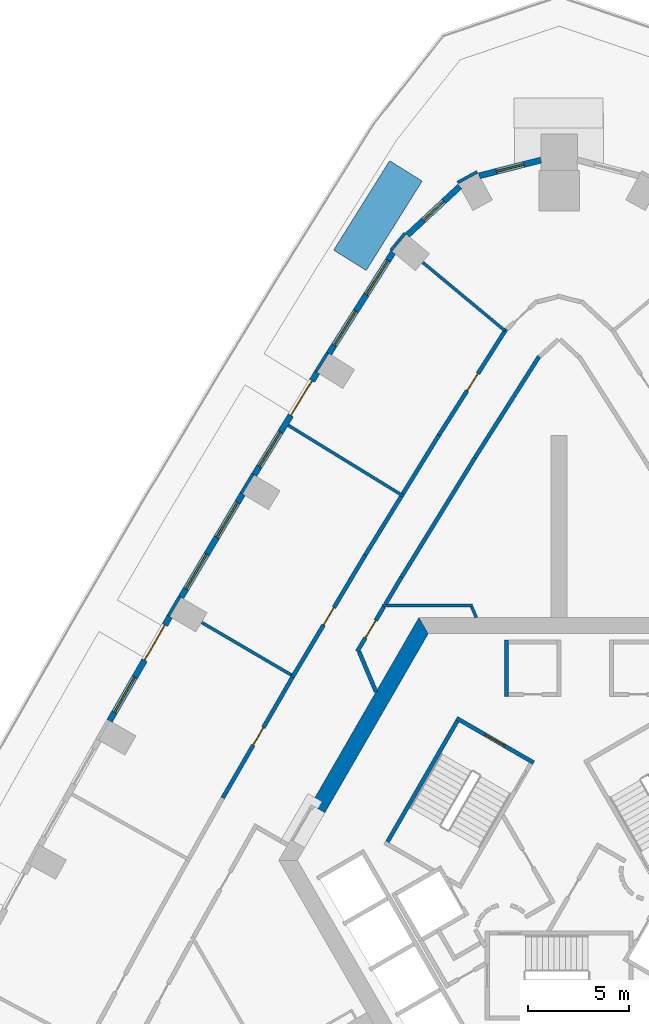
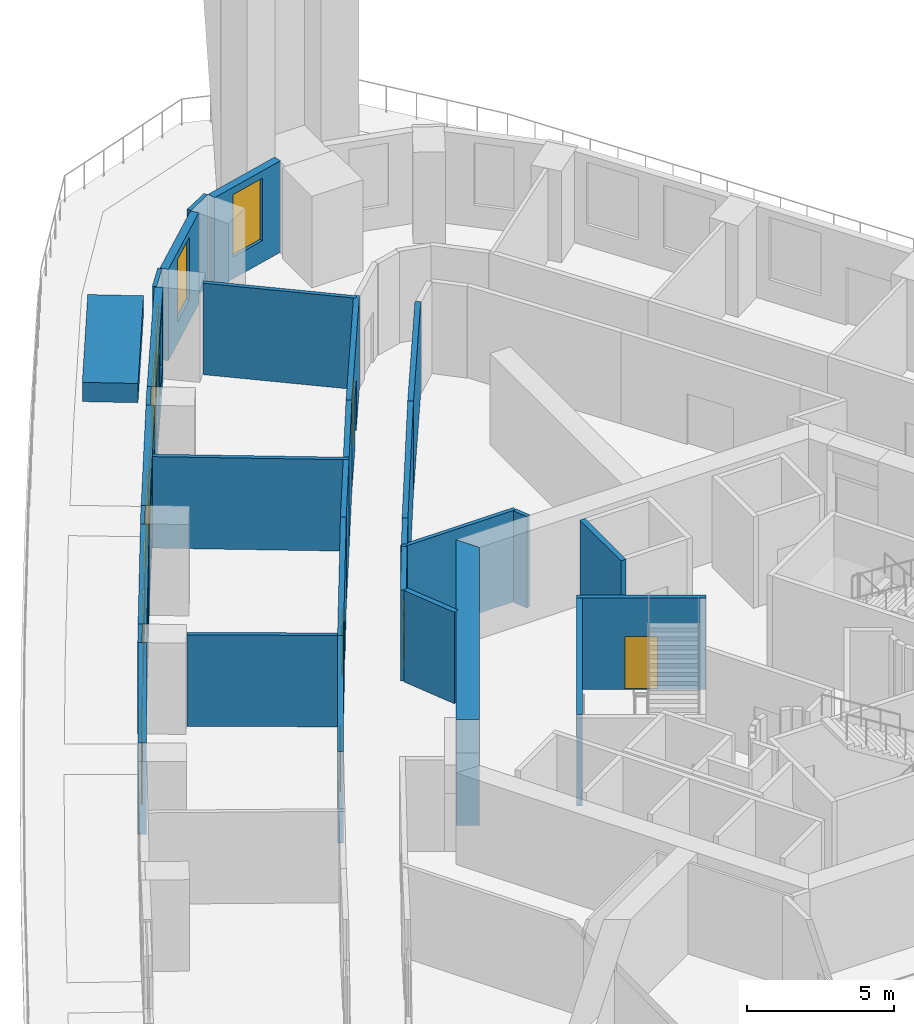
# One storey, part 9 of 16: 31 walls, 8 windows, 7 doors, 15 openings.
"""IFC4 building model written with IfcOpenShell, lengths in metres."""

from ifc_helpers import new_model, si_unit, direction, frame, frame_2d, origin, place, context, subcontext, project, spatial, polyline, rectangle, outline, extrude, material, layer, layer_set, type_object, element, fill, save


model = new_model("IFC4")

# Units and contexts
model_context = context("Model", 3, precision=1e-05, world=origin(), true_north=direction((0.0, 1.0)))
body_context = subcontext(model_context, "Body", "Model", "MODEL_VIEW")
ifc_project = project(units=[si_unit("LENGTHUNIT", "METRE"), si_unit("AREAUNIT", "SQUARE_METRE"), si_unit("VOLUMEUNIT", "CUBIC_METRE"), si_unit("PLANEANGLEUNIT", "RADIAN"), si_unit("MASSUNIT", "GRAM", prefix="KILO")], contexts=[model_context])

# Site, building, storey
site_placement = place(None, origin())
site = spatial("IfcSite", under=ifc_project, at=site_placement, CompositionType="ELEMENT")
building_placement = place(site_placement, origin())
building = spatial("IfcBuilding", under=site, at=building_placement, Name="Entoto Arch Interchange Tower", CompositionType="ELEMENT")
storey_placement = place(building_placement, frame((0.0, 0.0, 138.199951171875)))
storey = spatial("IfcBuildingStorey", under=building, at=storey_placement, Name="L30", CompositionType="ELEMENT", Elevation=138.199951171875)

# Walls
ifc_material_1 = material(Name="Concrete C50/60", Category="concrete")
ifc_layer_1 = layer(ifc_material_1, 0.800048828125)
ifc_layer_set_1 = layer_set([ifc_layer_1], Name="Concrete C50/60")
wall_type_1 = type_object("IfcWallType", Name="Core wall 800 C50/60", PredefinedType="SHEAR", material=ifc_layer_set_1)
wall_1_placement = place(storey_placement, frame((0.0, 0.0, -0.599853515625)))
element("IfcWall", 1, at=wall_1_placement, inside=storey, type_object=wall_type_1, Name="Core wall NW L30", PredefinedType="SHEAR", context=body_context, shape_type="SweptSolid", body=[
    extrude(outline(polyline([(-12.26708984375, 5.251953125), (-11.574951171875, 4.85205078125), (-6.466064453125, 13.699951171875), (-6.927978515625, 14.5), (-12.26708984375, 5.251953125)])), origin(), (0.0, 0.0, 1.0), 4.39990234375),
])
ifc_material_2 = material(Name="Gypsum board partition on steel studs", Category="steel")
ifc_layer_2 = layer(ifc_material_2, 0.14990234375)
ifc_layer_set_2 = layer_set([ifc_layer_2], Name="Gypsum board partition on steel studs")
wall_type_2 = type_object("IfcWallType", Name="PARTITION 150", PredefinedType="PARTITIONING", material=ifc_layer_set_2)
wall_2_placement = place(storey_placement, frame((-4.27197265625, 15.10009765625, 0.0), z_axis=(0.0, 0.0, 1.0), x_axis=(-1.0, 0.0, 0.0)))
element("IfcWall", 2, at=wall_2_placement, inside=storey, type_object=wall_type_2, Name="wall:L30:p085", PredefinedType="PARTITIONING", context=body_context, shape_type="SweptSolid", body=[
    extrude(rectangle(XDim=4.447998046875, YDim=0.14990234375, at=frame_2d((2.22412109375, 0.0))), origin(), (0.0, 0.0, 1.0), 3.800048828125),
])
wall_3_placement = place(storey_placement, frame((-4.093017578125, 14.5, 0.0), z_axis=(0.0, 0.0, 1.0), x_axis=(-0.390288929197, 0.92069243059, 0.0)))
element("IfcWall", 3, at=wall_3_placement, inside=storey, type_object=wall_type_2, Name="wall:L30:p086", PredefinedType="PARTITIONING", context=body_context, shape_type="SweptSolid", body=[
    extrude(rectangle(XDim=0.57666015625, YDim=0.14990234375, at=frame_2d((0.288330078125, 0.0))), origin(), (0.0, 0.0, 1.0), 3.800048828125),
])
wall_4_placement = place(storey_placement, frame((-2.669921875, 28.669921875, 0.0), z_axis=(0.0, 0.0, 1.0), x_axis=(-0.769162789992, 0.639052894909, 0.0)))
element("IfcWall", 4, at=wall_4_placement, inside=storey, type_object=wall_type_2, Name="wall:L30:p132", PredefinedType="PARTITIONING", context=body_context, shape_type="SweptSolid", body=[
    extrude(rectangle(XDim=5.287841796875, YDim=0.14990234375, at=frame_2d((2.64404296875, 0.0))), origin(), (0.0, 0.0, 1.0), 3.800048828125),
])
wall_5_placement = place(storey_placement, frame((-7.678955078125, 20.491943359375, 0.0), z_axis=(0.0, 0.0, 1.0), x_axis=(-0.851897179877, 0.523709074695, 0.0)))
element("IfcWall", 5, at=wall_5_placement, inside=storey, type_object=wall_type_2, Name="wall:L30:p133", PredefinedType="PARTITIONING", context=body_context, shape_type="SweptSolid", body=[
    extrude(rectangle(XDim=6.700439453125, YDim=0.14990234375, at=frame_2d((3.35009765625, 0.0))), origin(), (0.0, 0.0, 1.0), 3.800048828125),
])
wall_6_placement = place(storey_placement, frame((-13.23193359375, 11.656982421875, 0.0), z_axis=(0.0, 0.0, 1.0), x_axis=(-0.862663606034, 0.505778116197, 0.0)))
element("IfcWall", 6, at=wall_6_placement, inside=storey, type_object=wall_type_2, Name="wall:L30:p134", PredefinedType="PARTITIONING", context=body_context, shape_type="SweptSolid", body=[
    extrude(rectangle(XDim=5.130615234375, YDim=0.14990234375, at=frame_2d((2.5654296875, 0.0))), origin(), (0.0, 0.0, 1.0), 3.800048828125),
])

# Wall, opening, door
ifc_layer_3 = layer(ifc_material_2, 0.199951171875)
ifc_layer_set_3 = layer_set([ifc_layer_3], Name="Gypsum board partition on steel studs")
wall_type_3 = type_object("IfcWallType", Name="PARTITION 200", PredefinedType="PARTITIONING", material=ifc_layer_set_3)
wall_7_placement = place(storey_placement, frame((-8.657958984375, 15.035888671875, 0.0), z_axis=(0.0, 0.0, 1.0), x_axis=(-0.511860217954, -0.859068750029, 0.0)))
wall_7 = element("IfcWall", 7, at=wall_7_placement, inside=storey, type_object=wall_type_3, Name="wall:L30:p001", PredefinedType="PARTITIONING", context=body_context, shape_type="SweptSolid", body=[
    extrude(rectangle(XDim=2.5771484375, YDim=0.199951171875, at=frame_2d((1.28857421875, 0.0))), origin(), (0.0, 0.0, 1.0), 3.800048828125),
])
opening_1_placement = place(wall_7_placement, frame((0.7880859375, 0.0, 0.0)))
opening_1 = element("IfcOpeningElement", 8, at=opening_1_placement, cuts=wall_7, Name="Opening L30-D30", PredefinedType="OPENING", context=body_context, shape_type="SweptSolid", body=[
    extrude(rectangle(XDim=1.0, YDim=2.10009765625, at=frame_2d((0.5, 1.050048828125))), frame((0.0, 0.10986328125, 0.0), z_axis=(0.0, -1.0, 0.0), x_axis=(1.0, 0.0, 0.0)), (0.0, 0.0, 1.0), 0.219970703125),
])
ifc_material_3 = material(Name="Timber door leaf in Steel S235 frame", Category="steel")
door_type_1 = type_object("IfcDoorType", Name="DOOR DS-10 1000x2100", OperationType="SINGLE_SWING_LEFT", PredefinedType="DOOR", material=ifc_material_3)
door_1_placement = place(opening_1_placement, origin())
door_1 = element("IfcDoor", 9, at=door_1_placement, inside=storey, type_object=door_type_1, Name="door:L30:30", OperationType="SINGLE_SWING_LEFT", OverallHeight=2.10009765625, OverallWidth=1.0, PredefinedType="DOOR", context=body_context, shape_type="SweptSolid", body=[
    extrude(rectangle(XDim=1.0, YDim=2.10009765625, at=frame_2d((0.5, 1.050048828125))), frame((0.0, 0.02490234375, 0.0), z_axis=(0.0, -1.0, 0.0), x_axis=(1.0, 0.0, 0.0)), (0.0, 0.0, 1.0), 0.050048828125),
])
fill(opening_1, door_1)

# Walls
wall_8_placement = place(storey_placement, frame((-9.886962890625, 12.81591796875, 0.0), z_axis=(0.0, 0.0, 1.0), x_axis=(0.388765037942, -0.921336933632, 0.0)))
element("IfcWall", 10, at=wall_8_placement, inside=storey, type_object=wall_type_3, Name="wall:L30:p002", PredefinedType="PARTITIONING", context=body_context, shape_type="SweptSolid", body=[
    extrude(rectangle(XDim=2.15771484375, YDim=0.199951171875, at=frame_2d((1.078857421875, 0.0))), origin(), (0.0, 0.0, 1.0), 3.800048828125),
])
wall_9_placement = place(storey_placement, frame((-0.988037109375, 27.40087890625, 0.0), z_axis=(0.0, 0.0, 1.0), x_axis=(-0.535496886312, -0.844537201519, 0.0)))
element("IfcWall", 11, at=wall_9_placement, inside=storey, type_object=wall_type_3, Name="wall:L30:p010", PredefinedType="PARTITIONING", context=body_context, shape_type="SweptSolid", body=[
    extrude(rectangle(XDim=5.92724609375, YDim=0.199951171875, at=frame_2d((2.963623046875, 0.0))), origin(), (0.0, 0.0, 1.0), 3.800048828125),
])
wall_10_placement = place(storey_placement, frame((-4.162109375, 22.39501953125, 0.0), z_axis=(0.0, 0.0, 1.0), x_axis=(-0.523625371849, -0.851948631055, 0.0)))
element("IfcWall", 12, at=wall_10_placement, inside=storey, type_object=wall_type_3, Name="wall:L30:p011", PredefinedType="PARTITIONING", context=body_context, shape_type="SweptSolid", body=[
    extrude(rectangle(XDim=6.926513671875, YDim=0.199951171875, at=frame_2d((3.46337890625, 0.0))), origin(), (0.0, 0.0, 1.0), 3.800048828125),
])
wall_11_placement = place(storey_placement, frame((-7.7890625, 16.493896484375, 0.0), z_axis=(0.0, 0.0, 1.0), x_axis=(-0.511686277462, -0.859172365394, 0.0)))
element("IfcWall", 13, at=wall_11_placement, inside=storey, type_object=wall_type_3, Name="wall:L30:p012", PredefinedType="PARTITIONING", context=body_context, shape_type="SweptSolid", body=[
    extrude(rectangle(XDim=1.5478515625, YDim=0.199951171875, at=frame_2d((0.77392578125, 0.0))), origin(), (0.0, 0.0, 1.0), 3.800048828125),
])
wall_12_placement = place(storey_placement, frame((-7.72509765625, 20.60791015625, 0.0), z_axis=(0.0, 0.0, 1.0), x_axis=(0.523645038298, 0.851936543333, 0.0)))
element("IfcWall", 14, at=wall_12_placement, inside=storey, type_object=wall_type_3, Name="wall:L30:p051", PredefinedType="PARTITIONING", context=body_context, shape_type="SweptSolid", body=[
    extrude(rectangle(XDim=3.403076171875, YDim=0.199951171875, at=frame_2d((1.70166015625, 0.0))), origin(), (0.0, 0.0, 1.0), 3.800048828125),
])

# Wall, opening, door
wall_13_placement = place(storey_placement, frame((-5.943115234375, 23.507080078125, 0.0), z_axis=(0.0, 0.0, 1.0), x_axis=(0.535529721247, 0.844516380931, 0.0)))
wall_13 = element("IfcWall", 15, at=wall_13_placement, inside=storey, type_object=wall_type_3, Name="wall:L30:p052", PredefinedType="PARTITIONING", context=body_context, shape_type="SweptSolid", body=[
    extrude(rectangle(XDim=6.212890625, YDim=0.199951171875, at=frame_2d((3.1064453125, 0.0))), origin(), (0.0, 0.0, 1.0), 3.800048828125),
])
opening_2_placement = place(wall_13_placement, frame((2.60693359375, 0.0, 0.0)))
opening_2 = element("IfcOpeningElement", 16, at=opening_2_placement, cuts=wall_13, Name="Opening L30-D11", PredefinedType="OPENING", context=body_context, shape_type="SweptSolid", body=[
    extrude(rectangle(XDim=1.0, YDim=2.10009765625, at=frame_2d((0.5, 1.050048828125))), frame((0.0, 0.10986328125, 0.0), z_axis=(0.0, -1.0, 0.0), x_axis=(1.0, 0.0, 0.0)), (0.0, 0.0, 1.0), 0.219970703125),
])
door_2_placement = place(opening_2_placement, origin())
door_2 = element("IfcDoor", 17, at=door_2_placement, inside=storey, type_object=door_type_1, Name="door:L30:11", OperationType="SINGLE_SWING_LEFT", OverallHeight=2.10009765625, OverallWidth=1.0, PredefinedType="DOOR", context=body_context, shape_type="SweptSolid", body=[
    extrude(rectangle(XDim=1.0, YDim=2.10009765625, at=frame_2d((0.5, 1.050048828125))), frame((0.0, 0.02490234375, 0.0), z_axis=(0.0, -1.0, 0.0), x_axis=(1.0, 0.0, 0.0)), (0.0, 0.0, 1.0), 0.050048828125),
])
fill(opening_2, door_2)

wall_14_placement = place(storey_placement, frame((-13.18408203125, 11.5419921875, 0.0), z_axis=(0.0, 0.0, 1.0), x_axis=(0.511847713534, 0.859076200433, 0.0)))
wall_14 = element("IfcWall", 18, at=wall_14_placement, inside=storey, type_object=wall_type_3, Name="wall:L30:p053", PredefinedType="PARTITIONING", context=body_context, shape_type="SweptSolid", body=[
    extrude(rectangle(XDim=7.02978515625, YDim=0.199951171875, at=frame_2d((3.514892578125, 0.0))), origin(), (0.0, 0.0, 1.0), 3.800048828125),
])
opening_3_placement = place(wall_14_placement, frame((3.014892578125, 0.0, 0.0)))
opening_3 = element("IfcOpeningElement", 19, at=opening_3_placement, cuts=wall_14, Name="Opening L30-D12", PredefinedType="OPENING", context=body_context, shape_type="SweptSolid", body=[
    extrude(rectangle(XDim=1.0, YDim=2.10009765625, at=frame_2d((0.5, 1.050048828125))), frame((0.0, 0.10986328125, 0.0), z_axis=(0.0, -1.0, 0.0), x_axis=(1.0, 0.0, 0.0)), (0.0, 0.0, 1.0), 0.219970703125),
])
door_3_placement = place(opening_3_placement, origin())
door_3 = element("IfcDoor", 20, at=door_3_placement, inside=storey, type_object=door_type_1, Name="door:L30:12", OperationType="SINGLE_SWING_RIGHT", OverallHeight=2.10009765625, OverallWidth=1.0, PredefinedType="DOOR", context=body_context, shape_type="SweptSolid", body=[
    extrude(rectangle(XDim=1.0, YDim=2.10009765625, at=frame_2d((0.5, 1.050048828125))), frame((0.0, 0.02490234375, 0.0), z_axis=(0.0, -1.0, 0.0), x_axis=(1.0, 0.0, 0.0)), (0.0, 0.0, 1.0), 0.050048828125),
])
fill(opening_3, door_3)

# Wall
wall_15_placement = place(storey_placement, frame((-9.5859375, 17.5810546875, 0.0), z_axis=(0.0, 0.0, 1.0), x_axis=(0.523757261565, 0.851867554822, 0.0)))
element("IfcWall", 21, at=wall_15_placement, inside=storey, type_object=wall_type_3, Name="wall:L30:p054", PredefinedType="PARTITIONING", context=body_context, shape_type="SweptSolid", body=[
    extrude(rectangle(XDim=3.404052734375, YDim=0.199951171875, at=frame_2d((1.7021484375, 0.0))), origin(), (0.0, 0.0, 1.0), 3.800048828125),
])

# Wall, opening, door
wall_16_placement = place(storey_placement, frame((-16.6240234375, 5.58203125, 0.0), z_axis=(0.0, 0.0, 1.0), x_axis=(0.499886250151, 0.866091067331, 0.0)))
wall_16 = element("IfcWall", 22, at=wall_16_placement, inside=storey, type_object=wall_type_3, Name="wall:L30:p056", PredefinedType="PARTITIONING", context=body_context, shape_type="SweptSolid", body=[
    extrude(rectangle(XDim=6.88134765625, YDim=0.199951171875, at=frame_2d((3.440673828125, 0.0))), origin(), (0.0, 0.0, 1.0), 3.800048828125),
])
opening_4_placement = place(wall_16_placement, frame((3.014892578125, 0.0, 0.0)))
opening_4 = element("IfcOpeningElement", 23, at=opening_4_placement, cuts=wall_16, Name="Opening L30-D13", PredefinedType="OPENING", context=body_context, shape_type="SweptSolid", body=[
    extrude(rectangle(XDim=1.0, YDim=2.10009765625, at=frame_2d((0.5, 1.050048828125))), frame((0.0, 0.10986328125, 0.0), z_axis=(0.0, -1.0, 0.0), x_axis=(1.0, 0.0, 0.0)), (0.0, 0.0, 1.0), 0.219970703125),
])
door_4_placement = place(opening_4_placement, origin())
door_4 = element("IfcDoor", 24, at=door_4_placement, inside=storey, type_object=door_type_1, Name="door:L30:13", OperationType="SINGLE_SWING_LEFT", OverallHeight=2.10009765625, OverallWidth=1.0, PredefinedType="DOOR", context=body_context, shape_type="SweptSolid", body=[
    extrude(rectangle(XDim=1.0, YDim=2.10009765625, at=frame_2d((0.5, 1.050048828125))), frame((0.0, 0.02490234375, 0.0), z_axis=(0.0, -1.0, 0.0), x_axis=(1.0, 0.0, 0.0)), (0.0, 0.0, 1.0), 0.050048828125),
])
fill(opening_4, door_4)

# Walls
wall_17_placement = place(storey_placement, frame((-2.60009765625, 10.60009765625, 0.0), z_axis=(0.0, 0.0, 1.0), x_axis=(0.0, 1.0, 0.0)))
element("IfcWall", 25, at=wall_17_placement, inside=storey, type_object=wall_type_3, Name="wall:L30:p072", PredefinedType="PARTITIONING", context=body_context, shape_type="SweptSolid", body=[
    extrude(rectangle(XDim=2.7998046875, YDim=0.199951171875, at=frame_2d((1.39990234375, 0.0))), origin(), (0.0, 0.0, 1.0), 3.800048828125),
])
ifc_material_4 = material(Name="Board-marked precast concrete C50/60", Category="concrete")
ifc_layer_4 = layer(ifc_material_4, 1.89990234375)
ifc_layer_set_4 = layer_set([ifc_layer_4], Name="Board-marked precast concrete C50/60")
wall_type_4 = type_object("IfcWallType", Name="PLANTER RC 1900 Vachellia abyssinica", PredefinedType="STANDARD", material=ifc_layer_set_4)
wall_18_placement = place(storey_placement, frame((-7.571044921875, 36.574951171875, 0.0), z_axis=(0.0, 0.0, 1.0), x_axis=(-0.530520609595, -0.847672037285, 0.0)))
element("IfcWall", 26, at=wall_18_placement, inside=storey, type_object=wall_type_4, Name="Terrace planter NW-01 L30", PredefinedType="STANDARD", context=body_context, shape_type="SweptSolid", body=[
    extrude(rectangle(XDim=5.21533203125, YDim=1.89990234375, at=frame_2d((2.607666015625, 0.0))), origin(), (0.0, 0.0, 1.0), 0.800048828125),
])

# Wall, opening, door
ifc_material_5 = material(Name="Concrete C40/50", Category="concrete")
ifc_layer_5 = layer(ifc_material_5, 0.199951171875)
ifc_layer_set_5 = layer_set([ifc_layer_5], Name="Concrete C40/50")
wall_type_5 = type_object("IfcWallType", Name="STAIR ENCLOSURE WALL 200", PredefinedType="STANDARD", material=ifc_layer_set_5)
wall_19_placement = place(storey_placement, frame((-1.256103515625, 7.323974609375, 0.0), z_axis=(0.0, 0.0, 1.0), x_axis=(-0.866046073146, 0.499964197906, 0.0)))
wall_19 = element("IfcWall", 27, at=wall_19_placement, inside=storey, type_object=wall_type_5, Name="Stair wall ST-NW near", PredefinedType="STANDARD", context=body_context, shape_type="SweptSolid", body=[
    extrude(rectangle(XDim=4.400146484375, YDim=0.199951171875, at=frame_2d((2.2001953125, 0.0))), origin(), (0.0, 0.0, 1.0), 3.800048828125),
])
opening_5_placement = place(wall_19_placement, frame((1.64990234375, 0.0, 0.0)))
opening_5 = element("IfcOpeningElement", 28, at=opening_5_placement, cuts=wall_19, Name="Opening SD-ST-NW-L30-E", PredefinedType="OPENING", context=body_context, shape_type="SweptSolid", body=[
    extrude(rectangle(XDim=1.10009765625, YDim=2.199951171875, at=frame_2d((0.550048828125, 1.10009765625))), frame((0.0, 0.10986328125, 0.0), z_axis=(0.0, -1.0, 0.0), x_axis=(1.0, 0.0, 0.0)), (0.0, 0.0, 1.0), 0.219970703125),
])
ifc_material_6 = material(Name="Steel S235", Category="steel")
door_type_2 = type_object("IfcDoorType", Name="STAIR DOOR SD1 1100x2200", OperationType="SINGLE_SWING_LEFT", PredefinedType="DOOR", material=ifc_material_6)
door_5_placement = place(opening_5_placement, origin())
door_5 = element("IfcDoor", 29, at=door_5_placement, inside=storey, type_object=door_type_2, Name="Stair door ST-NW L30 end", OperationType="SINGLE_SWING_LEFT", OverallHeight=2.199951171875, OverallWidth=1.10009765625, PredefinedType="DOOR", context=body_context, shape_type="SweptSolid", body=[
    extrude(rectangle(XDim=1.10009765625, YDim=2.199951171875, at=frame_2d((0.550048828125, 1.10009765625))), frame((0.0, 0.02490234375, 0.0), z_axis=(0.0, -1.0, 0.0), x_axis=(1.0, 0.0, 0.0)), (0.0, 0.0, 1.0), 0.050048828125),
])
fill(opening_5, door_5)

# Wall
wall_20_placement = place(storey_placement, frame((-5.030029296875, 9.387939453125, 0.0), z_axis=(0.0, 0.0, 1.0), x_axis=(-0.499978703459, -0.866037698999, 0.0)))
element("IfcWall", 30, at=wall_20_placement, inside=storey, type_object=wall_type_5, Name="Stair wall ST-NW back", PredefinedType="STANDARD", context=body_context, shape_type="SweptSolid", body=[
    extrude(rectangle(XDim=6.900146484375, YDim=0.199951171875, at=frame_2d((3.4501953125, 0.0))), origin(), (0.0, 0.0, 1.0), 3.800048828125),
])

# Wall, opening, window
ifc_material_7 = material(Name="Welded tuff (ignimbrite) cladding, warm buff", Category="masonry")
ifc_layer_6 = layer(ifc_material_7, 0.300048828125)
ifc_layer_set_6 = layer_set([ifc_layer_6], Name="Welded tuff (ignimbrite) cladding, warm buff")
wall_type_6 = type_object("IfcWallType", Name="STONE INFILL WALL 300", PredefinedType="STANDARD", material=ifc_layer_set_6)
wall_21_placement = place(storey_placement, frame((-0.89892578125, 37.10888671875, 0.0), z_axis=(0.0, 0.0, 1.0), x_axis=(-0.968929586963, -0.247336724947, 0.0)))
wall_21 = element("IfcWall", 31, at=wall_21_placement, inside=storey, type_object=wall_type_6, Name="Facade wall N-03 L30", PredefinedType="STANDARD", context=body_context, shape_type="SweptSolid", body=[
    extrude(rectangle(XDim=3.144775390625, YDim=0.300048828125, at=frame_2d((1.572265625, 0.0))), origin(), (0.0, 0.0, 1.0), 3.800048828125),
])
opening_6_placement = place(wall_21_placement, frame((0.8720703125, 0.0, 0.89990234375)))
opening_6 = element("IfcOpeningElement", 32, at=opening_6_placement, cuts=wall_21, Name="Opening WO-B", PredefinedType="OPENING", context=body_context, shape_type="SweptSolid", body=[
    extrude(rectangle(XDim=1.39990234375, YDim=2.60009765625, at=frame_2d((0.699951171875, 1.300048828125))), frame((0.0, 0.16015625, 0.0), z_axis=(0.0, -1.0, 0.0), x_axis=(1.0, 0.0, 0.0)), (0.0, 0.0, 1.0), 0.320068359375),
])
ifc_material_8 = material(Name="Clear glass, low-e double glazed", Category="glass")
window_type_1 = type_object("IfcWindowType", Name="WINDOW WO-B 1400x2600", PartitioningType="DOUBLE_PANEL_VERTICAL", PredefinedType="WINDOW", material=ifc_material_8)
window_1_placement = place(opening_6_placement, origin())
window_1 = element("IfcWindow", 33, at=window_1_placement, inside=storey, type_object=window_type_1, Name="Window WO-B N-03 L30", OverallHeight=2.60009765625, OverallWidth=1.39990234375, PartitioningType="SINGLE_PANEL", PredefinedType="WINDOW", context=body_context, shape_type="SweptSolid", body=[
    extrude(rectangle(XDim=1.39990234375, YDim=2.60009765625, at=frame_2d((0.699951171875, 1.300048828125))), frame((0.0, 0.030029296875, 0.0), z_axis=(0.0, -1.0, 0.0), x_axis=(1.0, 0.0, 0.0)), (0.0, 0.0, 1.0), 0.06005859375),
])
fill(opening_6, window_1)

wall_22_placement = place(storey_placement, frame((-4.909912109375, 35.804931640625, 0.0), z_axis=(0.0, 0.0, 1.0), x_axis=(-0.732121882671, -0.681173655475, 0.0)))
wall_22 = element("IfcWall", 34, at=wall_22_placement, inside=storey, type_object=wall_type_6, Name="Facade wall N-04 L30", PredefinedType="STANDARD", context=body_context, shape_type="SweptSolid", body=[
    extrude(rectangle(XDim=3.536376953125, YDim=0.300048828125, at=frame_2d((1.76806640625, 0.0))), origin(), (0.0, 0.0, 1.0), 3.800048828125),
])
opening_7_placement = place(wall_22_placement, frame((1.068115234375, 0.0, 0.89990234375)))
opening_7 = element("IfcOpeningElement", 35, at=opening_7_placement, cuts=wall_22, Name="Opening WO-B", PredefinedType="OPENING", context=body_context, shape_type="SweptSolid", body=[
    extrude(rectangle(XDim=1.39990234375, YDim=2.60009765625, at=frame_2d((0.699951171875, 1.300048828125))), frame((0.0, 0.16015625, 0.0), z_axis=(0.0, -1.0, 0.0), x_axis=(1.0, 0.0, 0.0)), (0.0, 0.0, 1.0), 0.320068359375),
])
window_2_placement = place(opening_7_placement, origin())
window_2 = element("IfcWindow", 36, at=window_2_placement, inside=storey, type_object=window_type_1, Name="Window WO-B N-04 L30", OverallHeight=2.60009765625, OverallWidth=1.39990234375, PartitioningType="SINGLE_PANEL", PredefinedType="WINDOW", context=body_context, shape_type="SweptSolid", body=[
    extrude(rectangle(XDim=1.39990234375, YDim=2.60009765625, at=frame_2d((0.699951171875, 1.300048828125))), frame((0.0, 0.030029296875, 0.0), z_axis=(0.0, -1.0, 0.0), x_axis=(1.0, 0.0, 0.0)), (0.0, 0.0, 1.0), 0.06005859375),
])
fill(opening_7, window_2)

# Wall, openings, windows
wall_23_placement = place(storey_placement, frame((-8.200927734375, 32.552001953125, 0.0), z_axis=(0.0, 0.0, 1.0), x_axis=(-0.535403761464, -0.844596242124, 0.0)))
wall_23 = element("IfcWall", 37, at=wall_23_placement, inside=storey, type_object=wall_type_6, Name="Facade wall NW-01 L30", PredefinedType="STANDARD", context=body_context, shape_type="SweptSolid", body=[
    extrude(rectangle(XDim=5.928466796875, YDim=0.300048828125, at=frame_2d((2.96435546875, 0.0))), origin(), (0.0, 0.0, 1.0), 3.800048828125),
])
opening_8_placement = place(wall_23_placement, frame((0.48193359375, 0.0, 0.89990234375)))
opening_8 = element("IfcOpeningElement", 38, at=opening_8_placement, cuts=wall_23, Name="Opening WO-C", PredefinedType="OPENING", context=body_context, shape_type="SweptSolid", body=[
    extrude(rectangle(XDim=2.0, YDim=2.60009765625, at=frame_2d((1.0, 1.300048828125))), frame((0.0, 0.16015625, 0.0), z_axis=(0.0, -1.0, 0.0), x_axis=(1.0, 0.0, 0.0)), (0.0, 0.0, 1.0), 0.320068359375),
])
opening_9_placement = place(wall_23_placement, frame((3.446044921875, 0.0, 0.89990234375)))
opening_9 = element("IfcOpeningElement", 39, at=opening_9_placement, cuts=wall_23, Name="Opening WO-C", PredefinedType="OPENING", context=body_context, shape_type="SweptSolid", body=[
    extrude(rectangle(XDim=2.0, YDim=2.60009765625, at=frame_2d((1.0, 1.300048828125))), frame((0.0, 0.16015625, 0.0), z_axis=(0.0, -1.0, 0.0), x_axis=(1.0, 0.0, 0.0)), (0.0, 0.0, 1.0), 0.320068359375),
])
window_type_2 = type_object("IfcWindowType", Name="WINDOW WO-C 2000x2600", PartitioningType="DOUBLE_PANEL_VERTICAL", PredefinedType="WINDOW", material=ifc_material_8)
window_3_placement = place(opening_8_placement, origin())
window_3 = element("IfcWindow", 40, at=window_3_placement, inside=storey, type_object=window_type_2, Name="Window WO-C NW-01 L30", OverallHeight=2.60009765625, OverallWidth=2.0, PartitioningType="SINGLE_PANEL", PredefinedType="WINDOW", context=body_context, shape_type="SweptSolid", body=[
    extrude(rectangle(XDim=2.0, YDim=2.60009765625, at=frame_2d((1.0, 1.300048828125))), frame((0.0, 0.030029296875, 0.0), z_axis=(0.0, -1.0, 0.0), x_axis=(1.0, 0.0, 0.0)), (0.0, 0.0, 1.0), 0.06005859375),
])
fill(opening_8, window_3)
window_4_placement = place(opening_9_placement, origin())
window_4 = element("IfcWindow", 41, at=window_4_placement, inside=storey, type_object=window_type_2, Name="Window WO-C NW-01 L30", OverallHeight=2.60009765625, OverallWidth=2.0, PartitioningType="SINGLE_PANEL", PredefinedType="WINDOW", context=body_context, shape_type="SweptSolid", body=[
    extrude(rectangle(XDim=2.0, YDim=2.60009765625, at=frame_2d((1.0, 1.300048828125))), frame((0.0, 0.030029296875, 0.0), z_axis=(0.0, -1.0, 0.0), x_axis=(1.0, 0.0, 0.0)), (0.0, 0.0, 1.0), 0.06005859375),
])
fill(opening_9, window_4)

# Wall, openings, door, window
wall_24_placement = place(storey_placement, frame((-11.9560546875, 26.614013671875, 0.0), z_axis=(0.0, 0.0, 1.0), x_axis=(-0.523719731127, -0.851890628677, 0.0)))
wall_24 = element("IfcWall", 42, at=wall_24_placement, inside=storey, type_object=wall_type_6, Name="Facade wall NW-02 L30", PredefinedType="STANDARD", context=body_context, shape_type="SweptSolid", body=[
    extrude(rectangle(XDim=5.95166015625, YDim=0.300048828125, at=frame_2d((2.975830078125, 0.0))), origin(), (0.0, 0.0, 1.0), 3.800048828125),
])
opening_10_placement = place(wall_24_placement, frame((0.488037109375, 0.0, 0.0)))
opening_10 = element("IfcOpeningElement", 43, at=opening_10_placement, cuts=wall_24, Name="Opening DT-NW-02-L30", PredefinedType="OPENING", context=body_context, shape_type="SweptSolid", body=[
    extrude(rectangle(XDim=2.0, YDim=2.39990234375, at=frame_2d((1.0, 1.199951171875))), frame((0.0, 0.16015625, 0.0), z_axis=(0.0, -1.0, 0.0), x_axis=(1.0, 0.0, 0.0)), (0.0, 0.0, 1.0), 0.320068359375),
])
opening_11_placement = place(wall_24_placement, frame((3.464111328125, 0.0, 0.89990234375)))
opening_11 = element("IfcOpeningElement", 44, at=opening_11_placement, cuts=wall_24, Name="Opening WO-C", PredefinedType="OPENING", context=body_context, shape_type="SweptSolid", body=[
    extrude(rectangle(XDim=2.0, YDim=2.60009765625, at=frame_2d((1.0, 1.300048828125))), frame((0.0, 0.16015625, 0.0), z_axis=(0.0, -1.0, 0.0), x_axis=(1.0, 0.0, 0.0)), (0.0, 0.0, 1.0), 0.320068359375),
])
ifc_material_9 = material(Name="Aluminium and clear glass, anodised", Category="aluminium")
door_type_3 = type_object("IfcDoorType", Name="TERRACE DOOR DT 2000x2400", OperationType="SLIDING_TO_LEFT", PredefinedType="DOOR", material=ifc_material_9)
door_6_placement = place(opening_10_placement, origin())
door_6 = element("IfcDoor", 45, at=door_6_placement, inside=storey, type_object=door_type_3, Name="Terrace door NW-02 L30", OperationType="SLIDING_TO_LEFT", OverallHeight=2.39990234375, OverallWidth=2.0, PredefinedType="DOOR", context=body_context, shape_type="SweptSolid", body=[
    extrude(rectangle(XDim=2.0, YDim=2.39990234375, at=frame_2d((1.0, 1.199951171875))), frame((0.0, 0.02490234375, 0.0), z_axis=(0.0, -1.0, 0.0), x_axis=(1.0, 0.0, 0.0)), (0.0, 0.0, 1.0), 0.050048828125),
])
fill(opening_10, door_6)
window_5_placement = place(opening_11_placement, origin())
window_5 = element("IfcWindow", 46, at=window_5_placement, inside=storey, type_object=window_type_2, Name="Window WO-C NW-02 L30", OverallHeight=2.60009765625, OverallWidth=2.0, PartitioningType="SINGLE_PANEL", PredefinedType="WINDOW", context=body_context, shape_type="SweptSolid", body=[
    extrude(rectangle(XDim=2.0, YDim=2.60009765625, at=frame_2d((1.0, 1.300048828125))), frame((0.0, 0.030029296875, 0.0), z_axis=(0.0, -1.0, 0.0), x_axis=(1.0, 0.0, 0.0)), (0.0, 0.0, 1.0), 0.06005859375),
])
fill(opening_11, window_5)

# Wall, openings, windows
wall_25_placement = place(storey_placement, frame((-15.64208984375, 20.60498046875, 0.0), z_axis=(0.0, 0.0, 1.0), x_axis=(-0.511856715331, -0.859070836992, 0.0)))
wall_25 = element("IfcWall", 47, at=wall_25_placement, inside=storey, type_object=wall_type_6, Name="Facade wall NW-03 L30", PredefinedType="STANDARD", context=body_context, shape_type="SweptSolid", body=[
    extrude(rectangle(XDim=5.95068359375, YDim=0.300048828125, at=frame_2d((2.975341796875, 0.0))), origin(), (0.0, 0.0, 1.0), 3.800048828125),
])
opening_12_placement = place(wall_25_placement, frame((0.488037109375, 0.0, 0.89990234375)))
opening_12 = element("IfcOpeningElement", 48, at=opening_12_placement, cuts=wall_25, Name="Opening WO-C", PredefinedType="OPENING", context=body_context, shape_type="SweptSolid", body=[
    extrude(rectangle(XDim=2.0, YDim=2.60009765625, at=frame_2d((1.0, 1.300048828125))), frame((0.0, 0.16015625, 0.0), z_axis=(0.0, -1.0, 0.0), x_axis=(1.0, 0.0, 0.0)), (0.0, 0.0, 1.0), 0.320068359375),
])
opening_13_placement = place(wall_25_placement, frame((3.462890625, 0.0, 0.89990234375)))
opening_13 = element("IfcOpeningElement", 49, at=opening_13_placement, cuts=wall_25, Name="Opening WO-C", PredefinedType="OPENING", context=body_context, shape_type="SweptSolid", body=[
    extrude(rectangle(XDim=2.0, YDim=2.60009765625, at=frame_2d((1.0, 1.300048828125))), frame((0.0, 0.16015625, 0.0), z_axis=(0.0, -1.0, 0.0), x_axis=(1.0, 0.0, 0.0)), (0.0, 0.0, 1.0), 0.320068359375),
])
window_6_placement = place(opening_12_placement, origin())
window_6 = element("IfcWindow", 50, at=window_6_placement, inside=storey, type_object=window_type_2, Name="Window WO-C NW-03 L30", OverallHeight=2.60009765625, OverallWidth=2.0, PartitioningType="SINGLE_PANEL", PredefinedType="WINDOW", context=body_context, shape_type="SweptSolid", body=[
    extrude(rectangle(XDim=2.0, YDim=2.60009765625, at=frame_2d((1.0, 1.300048828125))), frame((0.0, 0.030029296875, 0.0), z_axis=(0.0, -1.0, 0.0), x_axis=(1.0, 0.0, 0.0)), (0.0, 0.0, 1.0), 0.06005859375),
])
fill(opening_12, window_6)
window_7_placement = place(opening_13_placement, origin())
window_7 = element("IfcWindow", 51, at=window_7_placement, inside=storey, type_object=window_type_2, Name="Window WO-C NW-03 L30", OverallHeight=2.60009765625, OverallWidth=2.0, PartitioningType="SINGLE_PANEL", PredefinedType="WINDOW", context=body_context, shape_type="SweptSolid", body=[
    extrude(rectangle(XDim=2.0, YDim=2.60009765625, at=frame_2d((1.0, 1.300048828125))), frame((0.0, 0.030029296875, 0.0), z_axis=(0.0, -1.0, 0.0), x_axis=(1.0, 0.0, 0.0)), (0.0, 0.0, 1.0), 0.06005859375),
])
fill(opening_13, window_7)

# Wall, openings, door, window
wall_26_placement = place(storey_placement, frame((-19.242919921875, 14.5458984375, 0.0), z_axis=(0.0, 0.0, 1.0), x_axis=(-0.49994263896, -0.866058518664, 0.0)))
wall_26 = element("IfcWall", 52, at=wall_26_placement, inside=storey, type_object=wall_type_6, Name="Facade wall NW-04 L30", PredefinedType="STANDARD", context=body_context, shape_type="SweptSolid", body=[
    extrude(rectangle(XDim=5.950927734375, YDim=0.300048828125, at=frame_2d((2.9755859375, 0.0))), origin(), (0.0, 0.0, 1.0), 3.800048828125),
])
opening_14_placement = place(wall_26_placement, frame((0.488037109375, 0.0, 0.0)))
opening_14 = element("IfcOpeningElement", 53, at=opening_14_placement, cuts=wall_26, Name="Opening DT-NW-04-L30", PredefinedType="OPENING", context=body_context, shape_type="SweptSolid", body=[
    extrude(rectangle(XDim=2.0, YDim=2.39990234375, at=frame_2d((1.0, 1.199951171875))), frame((0.0, 0.16015625, 0.0), z_axis=(0.0, -1.0, 0.0), x_axis=(1.0, 0.0, 0.0)), (0.0, 0.0, 1.0), 0.320068359375),
])
opening_15_placement = place(wall_26_placement, frame((3.462890625, 0.0, 0.89990234375)))
opening_15 = element("IfcOpeningElement", 54, at=opening_15_placement, cuts=wall_26, Name="Opening WO-C", PredefinedType="OPENING", context=body_context, shape_type="SweptSolid", body=[
    extrude(rectangle(XDim=2.0, YDim=2.60009765625, at=frame_2d((1.0, 1.300048828125))), frame((0.0, 0.16015625, 0.0), z_axis=(0.0, -1.0, 0.0), x_axis=(1.0, 0.0, 0.0)), (0.0, 0.0, 1.0), 0.320068359375),
])
door_7_placement = place(opening_14_placement, origin())
door_7 = element("IfcDoor", 55, at=door_7_placement, inside=storey, type_object=door_type_3, Name="Terrace door NW-04 L30", OperationType="SLIDING_TO_LEFT", OverallHeight=2.39990234375, OverallWidth=2.0, PredefinedType="DOOR", context=body_context, shape_type="SweptSolid", body=[
    extrude(rectangle(XDim=2.0, YDim=2.39990234375, at=frame_2d((1.0, 1.199951171875))), frame((0.0, 0.02490234375, 0.0), z_axis=(0.0, -1.0, 0.0), x_axis=(1.0, 0.0, 0.0)), (0.0, 0.0, 1.0), 0.050048828125),
])
fill(opening_14, door_7)
window_8_placement = place(opening_15_placement, origin())
window_8 = element("IfcWindow", 56, at=window_8_placement, inside=storey, type_object=window_type_2, Name="Window WO-C NW-04 L30", OverallHeight=2.60009765625, OverallWidth=2.0, PartitioningType="SINGLE_PANEL", PredefinedType="WINDOW", context=body_context, shape_type="SweptSolid", body=[
    extrude(rectangle(XDim=2.0, YDim=2.60009765625, at=frame_2d((1.0, 1.300048828125))), frame((0.0, 0.030029296875, 0.0), z_axis=(0.0, -1.0, 0.0), x_axis=(1.0, 0.0, 0.0)), (0.0, 0.0, 1.0), 0.06005859375),
])
fill(opening_15, window_8)

# Walls
ifc_layer_7 = layer(ifc_material_7, 0.14990234375)
ifc_layer_set_7 = layer_set([ifc_layer_7], Name="Welded tuff (ignimbrite) cladding, warm buff")
wall_type_7 = type_object("IfcWallType", Name="STONE PIER CLADDING 150", PredefinedType="STANDARD", material=ifc_layer_set_7)
wall_27_placement = place(storey_placement, frame((-4.050048828125, 36.52490234375, 0.0), z_axis=(0.0, 0.0, 1.0), x_axis=(-0.877929486755, -0.478789950068, 0.0)))
element("IfcWall", 57, at=wall_27_placement, inside=storey, type_object=wall_type_7, Name="Stone pier N3 L30", PredefinedType="STANDARD", context=body_context, shape_type="SweptSolid", body=[
    extrude(rectangle(XDim=1.100341796875, YDim=0.14990234375, at=frame_2d((0.55029296875, 0.0))), origin(), (0.0, 0.0, 1.0), 3.800048828125),
])
wall_28_placement = place(storey_placement, frame((-7.612060546875, 33.490966796875, 0.0), z_axis=(0.0, 0.0, 1.0), x_axis=(-0.639070205934, -0.769148406933, 0.0)))
element("IfcWall", 58, at=wall_28_placement, inside=storey, type_object=wall_type_7, Name="Stone pier NW01 L30", PredefinedType="STANDARD", context=body_context, shape_type="SweptSolid", body=[
    extrude(rectangle(XDim=1.099853515625, YDim=0.14990234375, at=frame_2d((0.5498046875, 0.0))), origin(), (0.0, 0.0, 1.0), 3.800048828125),
])
for number, where, z_axis, x_axis, name in (
    (59, (-11.44091796875, 27.587890625, 0.0), (0.0, 0.0, 1.0), (-0.52997899071, -0.848010771987, 0.0), "Stone pier NW02 L30"),
    (60, (-15.139892578125, 21.5859375, 0.0), (0.0, 0.0, 1.0), (-0.518178754102, -0.855272341888, 0.0), "Stone pier NW03 L30"),
):
    element("IfcWall", number, at=place(storey_placement, frame(where, z_axis=z_axis, x_axis=x_axis)), inside=storey, type_object=wall_type_7, Name=name, PredefinedType="STANDARD", context=body_context, shape_type="SweptSolid", body=[
        extrude(rectangle(XDim=1.10009765625, YDim=0.14990234375, at=frame_2d((0.550048828125, 0.0))), origin(), (0.0, 0.0, 1.0), 3.800048828125),
    ])
wall_29_placement = place(storey_placement, frame((-18.7548828125, 15.532958984375, 0.0), z_axis=(0.0, 0.0, 1.0), x_axis=(-0.50667077411, -0.862139621327, 0.0)))
element("IfcWall", 61, at=wall_29_placement, inside=storey, type_object=wall_type_7, Name="Stone pier NW04 L30", PredefinedType="STANDARD", context=body_context, shape_type="SweptSolid", body=[
    extrude(rectangle(XDim=1.099609375, YDim=0.14990234375, at=frame_2d((0.5498046875, 0.0))), origin(), (0.0, 0.0, 1.0), 3.800048828125),
])

save(model, "model.ifc")
